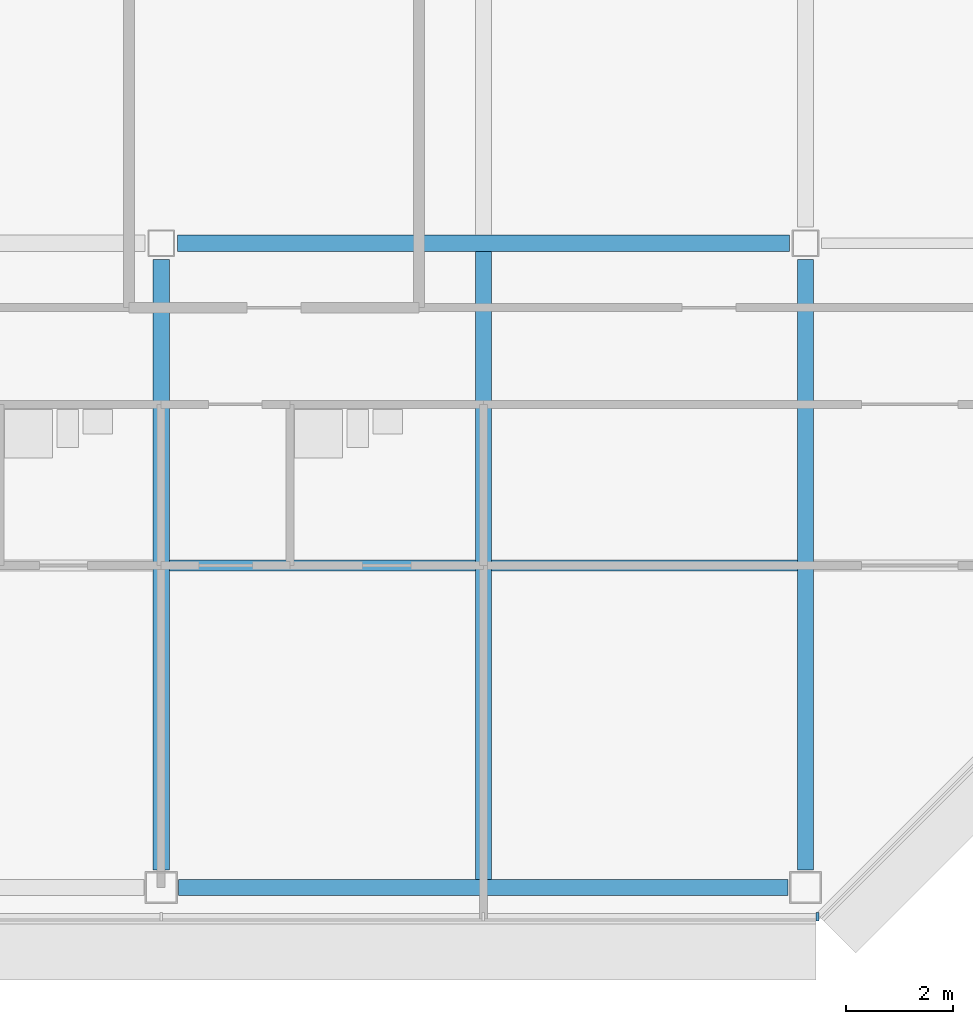
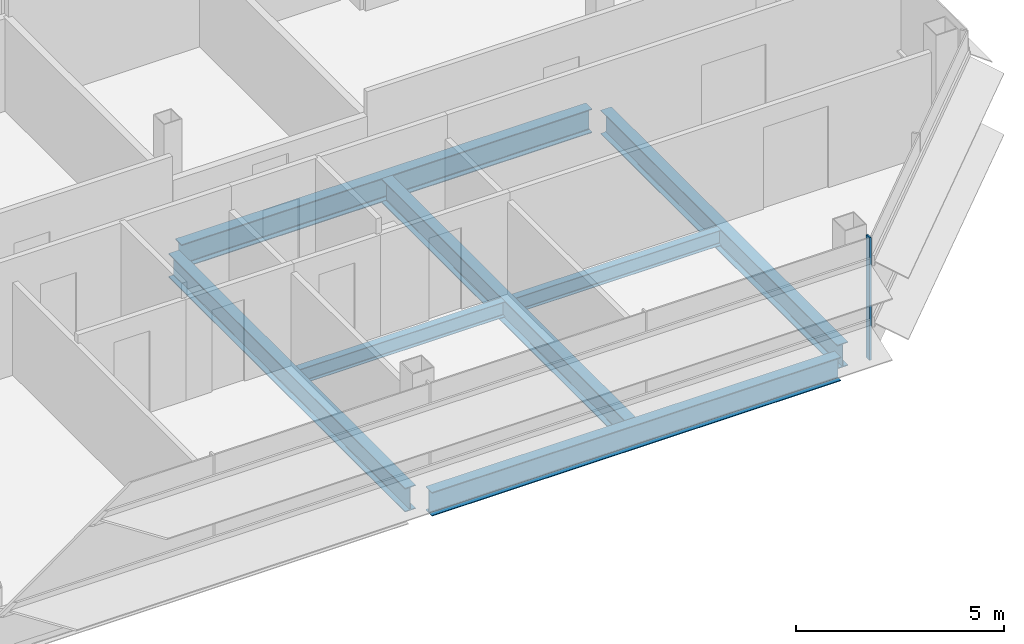
# One storey, part 10 of 27: 7 beams, 1 member, 1 element without a shape of its own.
"""IFC4 building model written with IfcOpenShell, lengths in metres."""

from ifc_helpers import new_model, si_unit, direction, frame, origin, origin_2d, place, context, subcontext, project, spatial, rectangle, i_section, extrude, material, material_profile, profile_set, type_object, element, aggregate, save


model = new_model("IFC4")

# Units and contexts
model_context = context("Model", 3, precision=1e-05, world=origin(), true_north=direction((0.0, 1.0)))
body_context = subcontext(model_context, "Body", "Model", "MODEL_VIEW")
ifc_project = project(units=[si_unit("LENGTHUNIT", "METRE"), si_unit("AREAUNIT", "SQUARE_METRE"), si_unit("VOLUMEUNIT", "CUBIC_METRE"), si_unit("PLANEANGLEUNIT", "RADIAN"), si_unit("MASSUNIT", "GRAM", prefix="KILO")], contexts=[model_context])

# Site, building, storey
site_placement = place(None, origin())
site = spatial("IfcSite", under=ifc_project, at=site_placement, CompositionType="ELEMENT")
building_placement = place(site_placement, origin())
building = spatial("IfcBuilding", under=site, at=building_placement, Name="Sorahane Residences", CompositionType="ELEMENT")
storey_placement = place(building_placement, frame((0.0, 0.0, 246.800048828125)))
storey = spatial("IfcBuildingStorey", under=building, at=storey_placement, Name="L58", CompositionType="ELEMENT", Elevation=246.800048828125)

# Curtain wall, member
ifc_material_1 = material(Name="Dark low-e glass and black anodised aluminium", Category="aluminium")
curtain_wall_type = type_object("IfcCurtainWallType", Name="Curtain wall CW-1 Typical unitised wall", PredefinedType="NOTDEFINED", material=ifc_material_1)
curtain_wall_placement = place(storey_placement, origin())
curtain_wall = element("IfcCurtainWall", 1, at=curtain_wall_placement, inside=storey, type_object=curtain_wall_type, Name="CW-1 curtain wall L58 S1", PredefinedType="NOTDEFINED")
ifc_material_2 = material(Name="Black anodised aluminium", Category="aluminium")
ifc_material_profile_1 = material_profile(ifc_material_2, rectangle(XDim=0.159912109375, YDim=0.050048828125, at=origin_2d()), Name="Curtain wall mullion CW-1 black anodised aluminium 50x160")
ifc_profile_set_1 = profile_set([ifc_material_profile_1], Name="Black anodised aluminium")
member_type = type_object("IfcMemberType", Name="Curtain wall mullion CW-1 black anodised aluminium 50x160", PredefinedType="MULLION", material=ifc_profile_set_1)
member_placement = place(storey_placement, frame((48.2236328125, -0.5400390625, -0.179931640625), z_axis=(0.0, 0.0, 1.0), x_axis=(0.0, -1.0, 0.0)))
member = element("IfcMember", 2, at=member_placement, type_object=member_type, Name="CW-1 mullion L58 S1.10", PredefinedType="MULLION", context=body_context, shape_type="SweptSolid", body=[
    extrude(rectangle(XDim=0.159912109375, YDim=0.050048828125, at=origin_2d()), origin(), (0.0, 0.0, 1.0), 3.599853515625),
])
aggregate(curtain_wall, [member])

# Beams
ifc_material_3 = material(Name="Steel Q355B", Category="steel")
ifc_material_profile_2 = material_profile(ifc_material_3, i_section(OverallWidth=0.199951171875, OverallDepth=0.449951171875, WebThickness=0.009033203125, FlangeThickness=0.013916015625, FilletRadius=0.02001953125, at=origin_2d()), Name="HN 450x200x9x14")
ifc_profile_set_2 = profile_set([ifc_material_profile_2], Name="Steel Q355B")
beam_type_1 = type_object("IfcBeamType", Name="Steel floor beam HN 450x200x9x14 Q355B", PredefinedType="BEAM", material=ifc_profile_set_2)
for number, where, z_axis, x_axis, name in (
    (3, (36.14990234375, 6.0, -0.405029296875), (1.0, 0.0, 0.0), (0.0, 1.0, 0.0), "Beam L58 075"),
    (4, (42.14990234375, 6.0, -0.405029296875), (1.0, 0.0, 0.0), (0.0, 1.0, 0.0), "Beam L58 076"),
):
    element("IfcBeam", number, at=place(storey_placement, frame(where, z_axis=z_axis, x_axis=x_axis)), inside=storey, type_object=beam_type_1, Name=name, PredefinedType="BEAM", context=body_context, shape_type="SweptSolid", body=[
        extrude(i_section(OverallWidth=0.199951171875, OverallDepth=0.449951171875, WebThickness=0.009033203125, FlangeThickness=0.013916015625, FilletRadius=0.02001953125, at=origin_2d()), origin(), (0.0, 0.0, 1.0), 5.7001953125),
    ])
ifc_material_4 = material(Name="Steel Q355B", Category="steel")
ifc_material_profile_3 = material_profile(ifc_material_4, i_section(OverallWidth=0.300048828125, OverallDepth=0.699951171875, WebThickness=0.012939453125, FlangeThickness=0.02392578125, FilletRadius=0.028076171875, at=origin_2d()), Name="HN 700x300x13x24")
ifc_profile_set_3 = profile_set([ifc_material_profile_3], Name="Steel Q355B")
beam_type_2 = type_object("IfcBeamType", Name="Steel floor beam HN 700x300x13x24 Q355B", PredefinedType="BEAM", material=ifc_profile_set_3)
beam_1_placement = place(storey_placement, frame((36.324951171875, 0.0, -0.530029296875), z_axis=(1.0, 0.0, 0.0), x_axis=(0.0, 1.0, 0.0)))
element("IfcBeam", 5, at=beam_1_placement, inside=storey, type_object=beam_type_2, Name="Beam L58 004", PredefinedType="BEAM", context=body_context, shape_type="SweptSolid", body=[
    extrude(i_section(OverallWidth=0.300048828125, OverallDepth=0.699951171875, WebThickness=0.012939453125, FlangeThickness=0.02392578125, FilletRadius=0.028076171875, at=origin_2d()), origin(), (0.0, 0.0, 1.0), 11.35009765625),
])
beam_2_placement = place(storey_placement, frame((36.300048828125, 12.0, -0.530029296875), z_axis=(1.0, 0.0, 0.0), x_axis=(0.0, 1.0, 0.0)))
element("IfcBeam", 6, at=beam_2_placement, inside=storey, type_object=beam_type_2, Name="Beam L58 009", PredefinedType="BEAM", context=body_context, shape_type="SweptSolid", body=[
    extrude(i_section(OverallWidth=0.300048828125, OverallDepth=0.699951171875, WebThickness=0.012939453125, FlangeThickness=0.02392578125, FilletRadius=0.028076171875, at=origin_2d()), origin(), (0.0, 0.0, 1.0), 11.39990234375),
])
beam_3_placement = place(storey_placement, frame((36.0, 0.324951171875, -0.530029296875), z_axis=(0.0, 1.0, 0.0), x_axis=(-1.0, 0.0, 0.0)))
element("IfcBeam", 7, at=beam_3_placement, inside=storey, type_object=beam_type_2, Name="Beam L58 050", PredefinedType="BEAM", context=body_context, shape_type="SweptSolid", body=[
    extrude(i_section(OverallWidth=0.300048828125, OverallDepth=0.699951171875, WebThickness=0.012939453125, FlangeThickness=0.02392578125, FilletRadius=0.028076171875, at=origin_2d()), origin(), (0.0, 0.0, 1.0), 11.375),
])
beam_4_placement = place(storey_placement, frame((42.0, 0.14990234375, -0.530029296875), z_axis=(0.0, 1.0, 0.0), x_axis=(-1.0, 0.0, 0.0)))
element("IfcBeam", 8, at=beam_4_placement, inside=storey, type_object=beam_type_2, Name="Beam L58 052", PredefinedType="BEAM", context=body_context, shape_type="SweptSolid", body=[
    extrude(i_section(OverallWidth=0.300048828125, OverallDepth=0.699951171875, WebThickness=0.012939453125, FlangeThickness=0.02392578125, FilletRadius=0.028076171875, at=origin_2d()), origin(), (0.0, 0.0, 1.0), 11.7001953125),
])
beam_5_placement = place(storey_placement, frame((48.0, 0.324951171875, -0.530029296875), z_axis=(0.0, 1.0, 0.0), x_axis=(-1.0, 0.0, 0.0)))
element("IfcBeam", 9, at=beam_5_placement, inside=storey, type_object=beam_type_2, Name="Beam L58 058", PredefinedType="BEAM", context=body_context, shape_type="SweptSolid", body=[
    extrude(i_section(OverallWidth=0.300048828125, OverallDepth=0.699951171875, WebThickness=0.012939453125, FlangeThickness=0.02392578125, FilletRadius=0.028076171875, at=origin_2d()), origin(), (0.0, 0.0, 1.0), 11.375),
])

save(model, "model.ifc")
